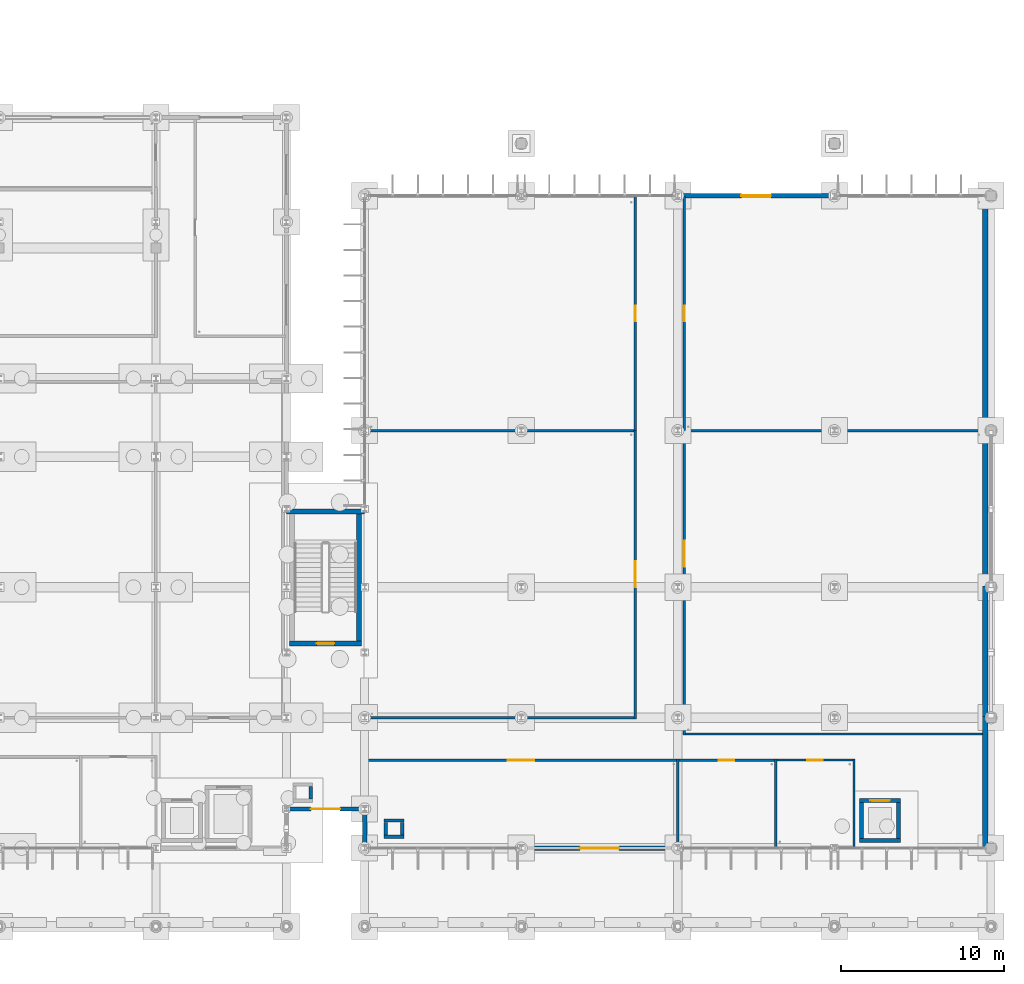
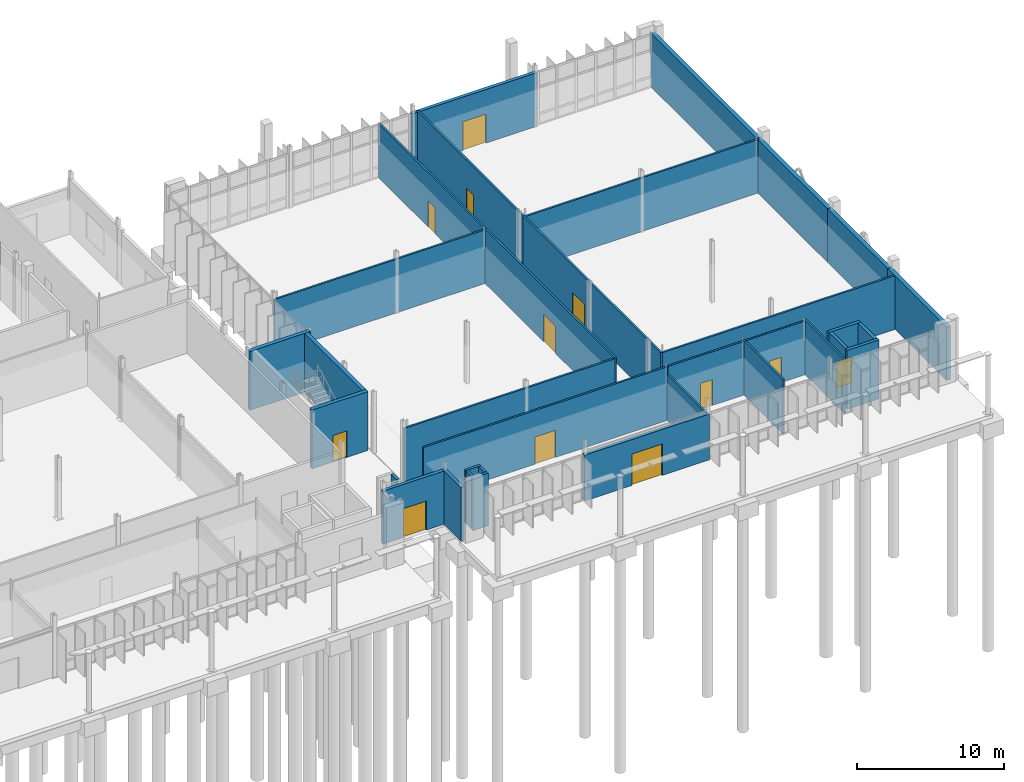
# One storey, part 65 of 111: 34 walls, 12 doors, 12 openings.
"""IFC4 building model written with IfcOpenShell, lengths in metres."""

from ifc_helpers import new_model, si_unit, direction, frame, frame_2d, origin, place, context, subcontext, project, spatial, rectangle, extrude, material, layer, layer_set, type_object, element, fill, save


model = new_model("IFC4")

# Units and contexts
model_context = context("Model", 3, precision=1e-05, world=origin(), true_north=direction((0.0, 1.0)))
body_context = subcontext(model_context, "Body", "Model", "MODEL_VIEW")
ifc_project = project(units=[si_unit("LENGTHUNIT", "METRE"), si_unit("AREAUNIT", "SQUARE_METRE"), si_unit("VOLUMEUNIT", "CUBIC_METRE"), si_unit("PLANEANGLEUNIT", "RADIAN"), si_unit("MASSUNIT", "GRAM", prefix="KILO")], contexts=[model_context])

# Site, building, storey
site_placement = place(None, origin())
site = spatial("IfcSite", under=ifc_project, at=site_placement, CompositionType="ELEMENT")
building_placement = place(site_placement, origin())
building = spatial("IfcBuilding", under=site, at=building_placement, Name="Dunescarp Central Library", CompositionType="ELEMENT")
storey_placement = place(building_placement, origin())
storey = spatial("IfcBuildingStorey", under=building, at=storey_placement, Name="L00", CompositionType="ELEMENT", Elevation=0.0)

# Wall, opening, door
ifc_material_1 = material(Name="Gypsum plasterboard acoustic partition")
ifc_layer_1 = layer(ifc_material_1, 0.14990234375)
ifc_layer_set_1 = layer_set([ifc_layer_1], Name="Gypsum plasterboard acoustic partition")
wall_type_1 = type_object("IfcWallType", Name="ARC-PT-AC150", PredefinedType="PARTITIONING", material=ifc_layer_set_1)
wall_1_placement = place(storey_placement, frame((129.639892578125, 10.199951171875, 0.0), z_axis=(0.0, 0.0, 1.0), x_axis=(1.0, 0.0, 0.0)))
wall_1 = element("IfcWall", 1, at=wall_1_placement, inside=storey, type_object=wall_type_1, Name="L00 partition PT-L00-0381", PredefinedType="PARTITIONING", context=body_context, shape_type="SweptSolid", body=[
    extrude(rectangle(XDim=19.085205078125, YDim=0.14990234375, at=frame_2d((9.54248046875, 0.0))), origin(), (0.0, 0.0, 1.0), 4.44189453125),
])
opening_1_placement = place(wall_1_placement, frame((8.742919921875, 0.0, 0.0)))
opening_1 = element("IfcOpeningElement", 2, at=opening_1_placement, cuts=wall_1, Name="Opening DR-L00-0163", PredefinedType="OPENING", context=body_context, shape_type="SweptSolid", body=[
    extrude(rectangle(XDim=1.60009765625, YDim=2.25, at=frame_2d((0.800048828125, 1.125))), frame((0.0, 0.0849609375, 0.0), z_axis=(0.0, -1.0, 0.0), x_axis=(1.0, 0.0, 0.0)), (0.0, 0.0, 1.0), 0.169921875),
])
ifc_material_2 = material(Name="Marine-grade anodised aluminium 6063-T6", Category="aluminium")
door_type_1 = type_object("IfcDoorType", Name="ARC-DR-DBL1600", OperationType="DOUBLE_DOOR_SINGLE_SWING", PredefinedType="DOOR", material=ifc_material_2)
door_1_placement = place(opening_1_placement, origin())
door_1 = element("IfcDoor", 3, at=door_1_placement, inside=storey, type_object=door_type_1, Name="L00 interior door DR-L00-0163", OperationType="DOUBLE_DOOR_SINGLE_SWING", OverallHeight=2.25, OverallWidth=1.60009765625, PredefinedType="DOOR", context=body_context, shape_type="SweptSolid", body=[
    extrude(rectangle(XDim=1.60009765625, YDim=2.25, at=frame_2d((0.800048828125, 1.125))), frame((0.0, 0.02490234375, 0.0), z_axis=(0.0, -1.0, 0.0), x_axis=(1.0, 0.0, 0.0)), (0.0, 0.0, 1.0), 0.050048828125),
])
fill(opening_1, door_1)

# Wall
wall_2_placement = place(storey_placement, frame((148.800048828125, 4.840087890625, 0.0), z_axis=(0.0, 0.0, 1.0), x_axis=(0.0, 1.0, 0.0)))
element("IfcWall", 4, at=wall_2_placement, inside=storey, type_object=wall_type_1, Name="L00 partition PT-L00-0382", PredefinedType="PARTITIONING", context=body_context, shape_type="SweptSolid", body=[
    extrude(rectangle(XDim=5.434814453125, YDim=0.14990234375, at=frame_2d((2.71728515625, 0.0))), origin(), (0.0, 0.0, 1.0), 3.804931640625),
])

# Wall, opening, door
wall_3_placement = place(storey_placement, frame((148.800048828125, 10.199951171875, 0.0), z_axis=(0.0, 0.0, 1.0), x_axis=(1.0, 0.0, 0.0)))
wall_3 = element("IfcWall", 5, at=wall_3_placement, inside=storey, type_object=wall_type_1, Name="L00 partition PT-L00-0383", PredefinedType="PARTITIONING", context=body_context, shape_type="SweptSolid", body=[
    extrude(rectangle(XDim=6.0, YDim=0.14990234375, at=frame_2d((3.0, 0.0))), origin(), (0.0, 0.0, 1.0), 4.44189453125),
])
opening_2_placement = place(wall_3_placement, frame((2.52490234375, 0.0, 0.0)))
opening_2 = element("IfcOpeningElement", 6, at=opening_2_placement, cuts=wall_3, Name="Opening DR-L00-0164", PredefinedType="OPENING", context=body_context, shape_type="SweptSolid", body=[
    extrude(rectangle(XDim=0.949951171875, YDim=2.14990234375, at=frame_2d((0.47509765625, 1.074951171875))), frame((0.0, 0.0849609375, 0.0), z_axis=(0.0, -1.0, 0.0), x_axis=(1.0, 0.0, 0.0)), (0.0, 0.0, 1.0), 0.169921875),
])
ifc_material_3 = material(Name="Hardwood solid-core timber leaf", Category="wood")
door_type_2 = type_object("IfcDoorType", Name="ARC-DR-INT950", OperationType="NOTDEFINED", PredefinedType="DOOR", material=ifc_material_3)
door_2_placement = place(opening_2_placement, origin())
door_2 = element("IfcDoor", 7, at=door_2_placement, inside=storey, type_object=door_type_2, Name="L00 interior door DR-L00-0164", OperationType="SINGLE_SWING_LEFT", OverallHeight=2.14990234375, OverallWidth=0.949951171875, PredefinedType="DOOR", context=body_context, shape_type="SweptSolid", body=[
    extrude(rectangle(XDim=0.949951171875, YDim=2.14990234375, at=frame_2d((0.47509765625, 1.074951171875))), frame((0.0, 0.02490234375, 0.0), z_axis=(0.0, -1.0, 0.0), x_axis=(1.0, 0.0, 0.0)), (0.0, 0.0, 1.0), 0.050048828125),
])
fill(opening_2, door_2)

# Walls
for number, where, z_axis, x_axis, name in (
    (8, (129.639892578125, 12.800048828125, 0.0), (0.0, 0.0, 1.0), (1.0, 0.0, 0.0), "L00 partition PT-L00-0384"),
    (9, (129.639892578125, 30.39990234375, 0.0), (0.0, 0.0, 1.0), (1.0, 0.0, 0.0), "L00 partition PT-L00-0385"),
):
    element("IfcWall", number, at=place(storey_placement, frame(where, z_axis=z_axis, x_axis=x_axis)), inside=storey, type_object=wall_type_1, Name=name, PredefinedType="PARTITIONING", context=body_context, shape_type="SweptSolid", body=[
        extrude(rectangle(XDim=16.485107421875, YDim=0.14990234375, at=frame_2d((8.24267578125, 0.0))), origin(), (0.0, 0.0, 1.0), 4.44189453125),
    ])

# Wall, opening, door
wall_4_placement = place(storey_placement, frame((146.199951171875, 12.72509765625, 0.0), z_axis=(0.0, 0.0, 1.0), x_axis=(0.0, 1.0, 0.0)))
wall_4 = element("IfcWall", 10, at=wall_4_placement, inside=storey, type_object=wall_type_1, Name="L00 partition PT-L00-0386", PredefinedType="PARTITIONING", context=body_context, shape_type="SweptSolid", body=[
    extrude(rectangle(XDim=17.75, YDim=0.14990234375, at=frame_2d((8.875, 0.0))), origin(), (0.0, 0.0, 1.0), 4.5048828125),
])
opening_3_placement = place(wall_4_placement, frame((8.074951171875, 0.0, 0.0)))
opening_3 = element("IfcOpeningElement", 11, at=opening_3_placement, cuts=wall_4, Name="Opening DR-L00-0165", PredefinedType="OPENING", context=body_context, shape_type="SweptSolid", body=[
    extrude(rectangle(XDim=1.60009765625, YDim=2.25, at=frame_2d((0.800048828125, 1.125))), frame((0.0, 0.0849609375, 0.0), z_axis=(0.0, -1.0, 0.0), x_axis=(1.0, 0.0, 0.0)), (0.0, 0.0, 1.0), 0.169921875),
])
door_3_placement = place(opening_3_placement, origin())
door_3 = element("IfcDoor", 12, at=door_3_placement, inside=storey, type_object=door_type_1, Name="L00 interior door DR-L00-0165", OperationType="DOUBLE_DOOR_SINGLE_SWING", OverallHeight=2.25, OverallWidth=1.60009765625, PredefinedType="DOOR", context=body_context, shape_type="SweptSolid", body=[
    extrude(rectangle(XDim=1.60009765625, YDim=2.25, at=frame_2d((0.800048828125, 1.125))), frame((0.0, 0.02490234375, 0.0), z_axis=(0.0, -1.0, 0.0), x_axis=(1.0, 0.0, 0.0)), (0.0, 0.0, 1.0), 0.050048828125),
])
fill(opening_3, door_3)

wall_5_placement = place(storey_placement, frame((146.199951171875, 30.39990234375, 0.0), z_axis=(0.0, 0.0, 1.0), x_axis=(0.0, 1.0, 0.0)))
wall_5 = element("IfcWall", 13, at=wall_5_placement, inside=storey, type_object=wall_type_1, Name="L00 partition PT-L00-0387", PredefinedType="PARTITIONING", context=body_context, shape_type="SweptSolid", body=[
    extrude(rectangle(XDim=14.360107421875, YDim=0.14990234375, at=frame_2d((7.18017578125, 0.0))), origin(), (0.0, 0.0, 1.0), 4.5048828125),
])
opening_4_placement = place(wall_5_placement, frame((6.705078125, 0.0, 0.0)))
opening_4 = element("IfcOpeningElement", 14, at=opening_4_placement, cuts=wall_5, Name="Opening DR-L00-0166", PredefinedType="OPENING", context=body_context, shape_type="SweptSolid", body=[
    extrude(rectangle(XDim=0.949951171875, YDim=2.14990234375, at=frame_2d((0.47509765625, 1.074951171875))), frame((0.0, 0.0849609375, 0.0), z_axis=(0.0, -1.0, 0.0), x_axis=(1.0, 0.0, 0.0)), (0.0, 0.0, 1.0), 0.169921875),
])
door_4_placement = place(opening_4_placement, origin())
door_4 = element("IfcDoor", 15, at=door_4_placement, inside=storey, type_object=door_type_2, Name="L00 interior door DR-L00-0166", OperationType="SINGLE_SWING_RIGHT", OverallHeight=2.14990234375, OverallWidth=0.949951171875, PredefinedType="DOOR", context=body_context, shape_type="SweptSolid", body=[
    extrude(rectangle(XDim=0.949951171875, YDim=2.14990234375, at=frame_2d((0.47509765625, 1.074951171875))), frame((0.0, 0.02490234375, 0.0), z_axis=(0.0, -1.0, 0.0), x_axis=(1.0, 0.0, 0.0)), (0.0, 0.0, 1.0), 0.050048828125),
])
fill(opening_4, door_4)

# Walls
for number, where, z_axis, x_axis, name in (
    (16, (149.27490234375, 11.800048828125, 0.0), (0.0, 0.0, 1.0), (1.0, 0.0, 0.0), "L00 partition PT-L00-0388"),
    (17, (149.27490234375, 30.39990234375, 0.0), (0.0, 0.0, 1.0), (1.0, 0.0, 0.0), "L00 partition PT-L00-0389"),
):
    element("IfcWall", number, at=place(storey_placement, frame(where, z_axis=z_axis, x_axis=x_axis)), inside=storey, type_object=wall_type_1, Name=name, PredefinedType="PARTITIONING", context=body_context, shape_type="SweptSolid", body=[
        extrude(rectangle(XDim=18.335205078125, YDim=0.14990234375, at=frame_2d((9.16748046875, 0.0))), origin(), (0.0, 0.0, 1.0), 4.44189453125),
    ])

# Wall, opening, door
wall_6_placement = place(storey_placement, frame((149.199951171875, 11.72509765625, 0.0), z_axis=(0.0, 0.0, 1.0), x_axis=(0.0, 1.0, 0.0)))
wall_6 = element("IfcWall", 18, at=wall_6_placement, inside=storey, type_object=wall_type_1, Name="L00 partition PT-L00-0390", PredefinedType="PARTITIONING", context=body_context, shape_type="SweptSolid", body=[
    extrude(rectangle(XDim=18.75, YDim=0.14990234375, at=frame_2d((9.375, 0.0))), origin(), (0.0, 0.0, 1.0), 4.5048828125),
])
opening_5_placement = place(wall_6_placement, frame((10.324951171875, 0.0, 0.0)))
opening_5 = element("IfcOpeningElement", 19, at=opening_5_placement, cuts=wall_6, Name="Opening DR-L00-0167", PredefinedType="OPENING", context=body_context, shape_type="SweptSolid", body=[
    extrude(rectangle(XDim=1.60009765625, YDim=2.25, at=frame_2d((0.800048828125, 1.125))), frame((0.0, 0.0849609375, 0.0), z_axis=(0.0, -1.0, 0.0), x_axis=(1.0, 0.0, 0.0)), (0.0, 0.0, 1.0), 0.169921875),
])
door_5_placement = place(opening_5_placement, origin())
door_5 = element("IfcDoor", 20, at=door_5_placement, inside=storey, type_object=door_type_1, Name="L00 interior door DR-L00-0167", OperationType="DOUBLE_DOOR_SINGLE_SWING", OverallHeight=2.25, OverallWidth=1.60009765625, PredefinedType="DOOR", context=body_context, shape_type="SweptSolid", body=[
    extrude(rectangle(XDim=1.60009765625, YDim=2.25, at=frame_2d((0.800048828125, 1.125))), frame((0.0, 0.02490234375, 0.0), z_axis=(0.0, -1.0, 0.0), x_axis=(1.0, 0.0, 0.0)), (0.0, 0.0, 1.0), 0.050048828125),
])
fill(opening_5, door_5)

wall_7_placement = place(storey_placement, frame((149.199951171875, 30.39990234375, 0.0), z_axis=(0.0, 0.0, 1.0), x_axis=(0.0, 1.0, 0.0)))
wall_7 = element("IfcWall", 21, at=wall_7_placement, inside=storey, type_object=wall_type_1, Name="L00 partition PT-L00-0391", PredefinedType="PARTITIONING", context=body_context, shape_type="SweptSolid", body=[
    extrude(rectangle(XDim=14.360107421875, YDim=0.14990234375, at=frame_2d((7.18017578125, 0.0))), origin(), (0.0, 0.0, 1.0), 4.5048828125),
])
opening_6_placement = place(wall_7_placement, frame((6.705078125, 0.0, 0.0)))
opening_6 = element("IfcOpeningElement", 22, at=opening_6_placement, cuts=wall_7, Name="Opening DR-L00-0168", PredefinedType="OPENING", context=body_context, shape_type="SweptSolid", body=[
    extrude(rectangle(XDim=0.949951171875, YDim=2.14990234375, at=frame_2d((0.47509765625, 1.074951171875))), frame((0.0, 0.0849609375, 0.0), z_axis=(0.0, -1.0, 0.0), x_axis=(1.0, 0.0, 0.0)), (0.0, 0.0, 1.0), 0.169921875),
])
door_6_placement = place(opening_6_placement, origin())
door_6 = element("IfcDoor", 23, at=door_6_placement, inside=storey, type_object=door_type_2, Name="L00 interior door DR-L00-0168", OperationType="SINGLE_SWING_LEFT", OverallHeight=2.14990234375, OverallWidth=0.949951171875, PredefinedType="DOOR", context=body_context, shape_type="SweptSolid", body=[
    extrude(rectangle(XDim=0.949951171875, YDim=2.14990234375, at=frame_2d((0.47509765625, 1.074951171875))), frame((0.0, 0.02490234375, 0.0), z_axis=(0.0, -1.0, 0.0), x_axis=(1.0, 0.0, 0.0)), (0.0, 0.0, 1.0), 0.050048828125),
])
fill(opening_6, door_6)

ifc_material_4 = material(Name="Autoclaved aerated concrete block", Category="concrete")
ifc_layer_2 = layer(ifc_material_4, 0.139892578125)
ifc_layer_set_2 = layer_set([ifc_layer_2], Name="Autoclaved aerated concrete block")
wall_type_2 = type_object("IfcWallType", Name="ARC-PT-WET140", PredefinedType="PARTITIONING", material=ifc_layer_set_2)
wall_8_placement = place(storey_placement, frame((154.8701171875, 10.199951171875, 0.0), z_axis=(0.0, 0.0, 1.0), x_axis=(1.0, 0.0, 0.0)))
wall_8 = element("IfcWall", 24, at=wall_8_placement, inside=storey, type_object=wall_type_2, Name="L00 partition PT-L00-0378", PredefinedType="PARTITIONING", context=body_context, shape_type="SweptSolid", body=[
    extrude(rectangle(XDim=4.659912109375, YDim=0.139892578125, at=frame_2d((2.330078125, 0.0))), origin(), (0.0, 0.0, 1.0), 4.44189453125),
])
opening_7_placement = place(wall_8_placement, frame((1.85498046875, 0.0, 0.0)))
opening_7 = element("IfcOpeningElement", 25, at=opening_7_placement, cuts=wall_8, Name="Opening DR-L00-0162", PredefinedType="OPENING", context=body_context, shape_type="SweptSolid", body=[
    extrude(rectangle(XDim=0.949951171875, YDim=2.10009765625, at=frame_2d((0.47509765625, 1.050048828125))), frame((0.0, 0.080078125, 0.0), z_axis=(0.0, -1.0, 0.0), x_axis=(1.0, 0.0, 0.0)), (0.0, 0.0, 1.0), 0.159912109375),
])
door_type_3 = type_object("IfcDoorType", Name="ARC-DR-WC950", OperationType="NOTDEFINED", PredefinedType="DOOR", material=ifc_material_3)
door_7_placement = place(opening_7_placement, origin())
door_7 = element("IfcDoor", 26, at=door_7_placement, inside=storey, type_object=door_type_3, Name="L00 interior door DR-L00-0162", OperationType="SINGLE_SWING_RIGHT", OverallHeight=2.10009765625, OverallWidth=0.949951171875, PredefinedType="DOOR", context=body_context, shape_type="SweptSolid", body=[
    extrude(rectangle(XDim=0.949951171875, YDim=2.10009765625, at=frame_2d((0.47509765625, 1.050048828125))), frame((0.0, 0.02490234375, 0.0), z_axis=(0.0, -1.0, 0.0), x_axis=(1.0, 0.0, 0.0)), (0.0, 0.0, 1.0), 0.050048828125),
])
fill(opening_7, door_7)

# Walls
for number, where, z_axis, x_axis, name in (
    (27, (154.800048828125, 4.840087890625, 0.0), (0.0, 0.0, 1.0), (0.0, 1.0, 0.0), "L00 partition PT-L00-0379"),
    (28, (159.60009765625, 4.840087890625, 0.0), (0.0, 0.0, 1.0), (0.0, 1.0, 0.0), "L00 partition PT-L00-0380"),
):
    element("IfcWall", number, at=place(storey_placement, frame(where, z_axis=z_axis, x_axis=x_axis)), inside=storey, type_object=wall_type_2, Name=name, PredefinedType="PARTITIONING", context=body_context, shape_type="SweptSolid", body=[
        extrude(rectangle(XDim=5.429931640625, YDim=0.139892578125, at=frame_2d((2.71484375, 0.0))), origin(), (0.0, 0.0, 1.0), 4.5048828125),
    ])

# Wall, opening, door
ifc_material_5 = material(Name="Glass-fibre reinforced concrete GRC", Category="concrete")
ifc_layer_3 = layer(ifc_material_5, 0.260009765625)
ifc_layer_set_3 = layer_set([ifc_layer_3], Name="Glass-fibre reinforced concrete GRC")
wall_type_3 = type_object("IfcWallType", Name="ARC-WL-GRC260", PredefinedType="SOLIDWALL", material=ifc_layer_set_3)
wall_9_placement = place(storey_placement, frame((148.715087890625, 44.800048828125, 0.0), z_axis=(0.0, 0.0, 1.0), x_axis=(1.0, 0.0, 0.0)))
wall_9 = element("IfcWall", 29, at=wall_9_placement, inside=storey, type_object=wall_type_3, Name="L00 external wall EW-V5-158", PredefinedType="SOLIDWALL", context=body_context, shape_type="SweptSolid", body=[
    extrude(rectangle(XDim=9.77001953125, YDim=0.260009765625, at=frame_2d((4.885009765625, 0.0))), origin(), (0.0, 0.0, 1.0), 4.44189453125),
])
opening_8_placement = place(wall_9_placement, frame((3.985107421875, 0.0, 0.0)))
opening_8 = element("IfcOpeningElement", 30, at=opening_8_placement, cuts=wall_9, Name="Opening ED-07", PredefinedType="OPENING", context=body_context, shape_type="SweptSolid", body=[
    extrude(rectangle(XDim=1.800048828125, YDim=2.39990234375, at=frame_2d((0.89990234375, 1.199951171875))), frame((0.0, 0.14013671875, 0.0), z_axis=(0.0, -1.0, 0.0), x_axis=(1.0, 0.0, 0.0)), (0.0, 0.0, 1.0), 0.280029296875),
])
door_type_4 = type_object("IfcDoorType", Name="ARC-DR-EXIT1800", OperationType="NOTDEFINED", PredefinedType="DOOR", material=ifc_material_2)
door_8_placement = place(opening_8_placement, origin())
door_8 = element("IfcDoor", 31, at=door_8_placement, inside=storey, type_object=door_type_4, Name="L00 external door ED-07", OperationType="SINGLE_SWING_RIGHT", OverallHeight=2.39990234375, OverallWidth=1.800048828125, PredefinedType="DOOR", context=body_context, shape_type="SweptSolid", body=[
    extrude(rectangle(XDim=1.800048828125, YDim=2.39990234375, at=frame_2d((0.89990234375, 1.199951171875))), frame((0.0, 0.02490234375, 0.0), z_axis=(0.0, -1.0, 0.0), x_axis=(1.0, 0.0, 0.0)), (0.0, 0.0, 1.0), 0.050048828125),
])
fill(opening_8, door_8)

# Wall
wall_10_placement = place(storey_placement, frame((129.60009765625, 4.715087890625, 0.0), z_axis=(0.0, 0.0, 1.0), x_axis=(0.0, 1.0, 0.0)))
element("IfcWall", 32, at=wall_10_placement, inside=storey, type_object=wall_type_3, Name="L00 external wall EW-V5-163", PredefinedType="SOLIDWALL", context=body_context, shape_type="SweptSolid", body=[
    extrude(rectangle(XDim=2.56982421875, YDim=0.260009765625, at=frame_2d((1.284912109375, 0.0))), origin(), (0.0, 0.0, 1.0), 4.44189453125),
])

# Wall, opening, door
wall_11_placement = place(storey_placement, frame((129.68505859375, 7.199951171875, 0.0), z_axis=(0.0, 0.0, 1.0), x_axis=(-1.0, 0.0, 0.0)))
wall_11 = element("IfcWall", 33, at=wall_11_placement, inside=storey, type_object=wall_type_3, Name="L00 external wall EW-GL3-S", PredefinedType="SOLIDWALL", context=body_context, shape_type="SweptSolid", body=[
    extrude(rectangle(XDim=4.969970703125, YDim=0.260009765625, at=frame_2d((2.48486328125, 0.0))), origin(), (0.0, 0.0, 1.0), 4.405029296875),
])
opening_9_placement = place(wall_11_placement, frame((1.5849609375, 0.0, 0.0)))
opening_9 = element("IfcOpeningElement", 34, at=opening_9_placement, cuts=wall_11, Name="Opening ED-05", PredefinedType="OPENING", context=body_context, shape_type="SweptSolid", body=[
    extrude(rectangle(XDim=1.800048828125, YDim=2.39990234375, at=frame_2d((0.89990234375, 1.199951171875))), frame((0.0, 0.14013671875, 0.0), z_axis=(0.0, -1.0, 0.0), x_axis=(1.0, 0.0, 0.0)), (0.0, 0.0, 1.0), 0.280029296875),
])
door_9_placement = place(opening_9_placement, origin())
door_9 = element("IfcDoor", 35, at=door_9_placement, inside=storey, type_object=door_type_4, Name="L00 external door ED-05", OperationType="SINGLE_SWING_LEFT", OverallHeight=2.39990234375, OverallWidth=1.800048828125, PredefinedType="DOOR", context=body_context, shape_type="SweptSolid", body=[
    extrude(rectangle(XDim=1.800048828125, YDim=2.39990234375, at=frame_2d((0.89990234375, 1.199951171875))), frame((0.0, 0.02490234375, 0.0), z_axis=(0.0, -1.0, 0.0), x_axis=(1.0, 0.0, 0.0)), (0.0, 0.0, 1.0), 0.050048828125),
])
fill(opening_9, door_9)

ifc_layer_4 = layer(ifc_material_5, 0.280029296875)
ifc_layer_set_4 = layer_set([ifc_layer_4], Name="Glass-fibre reinforced concrete GRC")
wall_type_4 = type_object("IfcWallType", Name="ARC-WL-GRC280", PredefinedType="SOLIDWALL", material=ifc_layer_set_4)
wall_12_placement = place(storey_placement, frame((148.885009765625, 4.800048828125, 0.0), z_axis=(0.0, 0.0, 1.0), x_axis=(-1.0, 0.0, 0.0)))
wall_12 = element("IfcWall", 36, at=wall_12_placement, inside=storey, type_object=wall_type_4, Name="L00 external wall EW-V5-157", PredefinedType="SOLIDWALL", context=body_context, shape_type="SweptSolid", body=[
    extrude(rectangle(XDim=9.77001953125, YDim=0.280029296875, at=frame_2d((4.885009765625, 0.0))), origin(), (0.0, 0.0, 1.0), 3.804931640625),
])
opening_10_placement = place(wall_12_placement, frame((3.68505859375, 0.0, 0.0)))
opening_10 = element("IfcOpeningElement", 37, at=opening_10_placement, cuts=wall_12, Name="Opening D-ENT-04", PredefinedType="OPENING", context=body_context, shape_type="SweptSolid", body=[
    extrude(rectangle(XDim=2.39990234375, YDim=2.60009765625, at=frame_2d((1.199951171875, 1.300048828125))), frame((0.0, 0.14990234375, 0.0), z_axis=(0.0, -1.0, 0.0), x_axis=(1.0, 0.0, 0.0)), (0.0, 0.0, 1.0), 0.300048828125),
])
door_type_5 = type_object("IfcDoorType", Name="ARC-DR-ENT2400", OperationType="DOUBLE_SWING_LEFT", PredefinedType="DOOR", material=ifc_material_2)
door_10_placement = place(opening_10_placement, origin())
door_10 = element("IfcDoor", 38, at=door_10_placement, inside=storey, type_object=door_type_5, Name="L00 external door D-ENT-04", OperationType="DOUBLE_SWING_RIGHT", OverallHeight=2.60009765625, OverallWidth=2.39990234375, PredefinedType="DOOR", context=body_context, shape_type="SweptSolid", body=[
    extrude(rectangle(XDim=2.39990234375, YDim=2.60009765625, at=frame_2d((1.199951171875, 1.300048828125))), frame((0.0, 0.02490234375, 0.0), z_axis=(0.0, -1.0, 0.0), x_axis=(1.0, 0.0, 0.0)), (0.0, 0.0, 1.0), 0.050048828125),
])
fill(opening_10, door_10)

# Walls
ifc_layer_5 = layer(ifc_material_5, 0.320068359375)
ifc_layer_set_5 = layer_set([ifc_layer_5], Name="Glass-fibre reinforced concrete GRC")
wall_type_5 = type_object("IfcWallType", Name="ARC-WL-GRC320", PredefinedType="SOLIDWALL", material=ifc_layer_set_5)
for number, where, z_axis, x_axis, name in (
    (39, (167.64990234375, 12.885009765625, 0.0), (0.0, 0.0, 1.0), (0.0, -1.0, 0.0), "L00 external wall EW-V5-159"),
    (40, (167.64990234375, 20.885009765625, 0.0), (0.0, 0.0, 1.0), (0.0, -1.0, 0.0), "L00 external wall EW-V5-160"),
):
    element("IfcWall", number, at=place(storey_placement, frame(where, z_axis=z_axis, x_axis=x_axis)), inside=storey, type_object=wall_type_5, Name=name, PredefinedType="SOLIDWALL", context=body_context, shape_type="SweptSolid", body=[
        extrude(rectangle(XDim=8.169921875, YDim=0.320068359375, at=frame_2d((4.0849609375, 0.0))), origin(), (0.0, 0.0, 1.0), 4.44189453125),
    ])
wall_13_placement = place(storey_placement, frame((167.64990234375, 30.485107421875, 0.0), z_axis=(0.0, 0.0, 1.0), x_axis=(0.0, -1.0, 0.0)))
element("IfcWall", 41, at=wall_13_placement, inside=storey, type_object=wall_type_5, Name="L00 external wall EW-V5-161", PredefinedType="SOLIDWALL", context=body_context, shape_type="SweptSolid", body=[
    extrude(rectangle(XDim=9.77001953125, YDim=0.320068359375, at=frame_2d((4.885009765625, 0.0))), origin(), (0.0, 0.0, 1.0), 4.44189453125),
])
wall_14_placement = place(storey_placement, frame((167.64990234375, 44.885009765625, 0.0), z_axis=(0.0, 0.0, 1.0), x_axis=(0.0, -1.0, 0.0)))
element("IfcWall", 42, at=wall_14_placement, inside=storey, type_object=wall_type_5, Name="L00 external wall EW-V5-162", PredefinedType="SOLIDWALL", context=body_context, shape_type="SweptSolid", body=[
    extrude(rectangle(XDim=14.570068359375, YDim=0.320068359375, at=frame_2d((7.28515625, 0.0))), origin(), (0.0, 0.0, 1.0), 4.44189453125),
])
ifc_material_6 = material(Name="Concrete C35/45", Category="concrete")
ifc_layer_6 = layer(ifc_material_6, 0.199951171875)
ifc_layer_set_6 = layer_set([ifc_layer_6], Name="Concrete C35/45")
wall_type_6 = type_object("IfcWallType", Name="ARC-WL-RISER200", PredefinedType="PARTITIONING", material=ifc_layer_set_6)
for number, where, z_axis, x_axis, name in (
    (43, (132.0, 5.5, 0.0), (0.0, 0.0, 1.0), (-1.0, 0.0, 0.0), "L00 V5 duct shaft wall S"),
    (44, (130.800048828125, 6.5, 0.0), (0.0, 0.0, 1.0), (1.0, 0.0, 0.0), "L00 V5 duct shaft wall N"),
):
    element("IfcWall", number, at=place(storey_placement, frame(where, z_axis=z_axis, x_axis=x_axis)), inside=storey, type_object=wall_type_6, Name=name, PredefinedType="PARTITIONING", context=body_context, shape_type="SweptSolid", body=[
        extrude(rectangle(XDim=1.199951171875, YDim=0.199951171875, at=frame_2d((0.60009765625, 0.0))), origin(), (0.0, 0.0, 1.0), 4.3798828125),
    ])
for number, where, z_axis, x_axis, name in (
    (45, (130.89990234375, 5.6201171875, 0.0), (0.0, 0.0, 1.0), (0.0, 1.0, 0.0), "L00 V5 duct shaft wall W"),
    (46, (131.89990234375, 6.3798828125, 0.0), (0.0, 0.0, 1.0), (0.0, -1.0, 0.0), "L00 V5 duct shaft wall E"),
):
    element("IfcWall", number, at=place(storey_placement, frame(where, z_axis=z_axis, x_axis=x_axis)), inside=storey, type_object=wall_type_6, Name=name, PredefinedType="PARTITIONING", context=body_context, shape_type="SweptSolid", body=[
        extrude(rectangle(XDim=0.759765625, YDim=0.199951171875, at=frame_2d((0.3798828125, 0.0))), origin(), (0.0, 0.0, 1.0), 4.3798828125),
    ])
wall_15_placement = place(storey_placement, frame((126.300048828125, 8.580078125, 0.0), z_axis=(0.0, 0.0, 1.0), x_axis=(0.0, -1.0, 0.0)))
element("IfcWall", 47, at=wall_15_placement, inside=storey, type_object=wall_type_6, Name="L00 GL3 duct shaft wall E", PredefinedType="PARTITIONING", context=body_context, shape_type="SweptSolid", body=[
    extrude(rectangle(XDim=0.760009765625, YDim=0.199951171875, at=frame_2d((0.3798828125, 0.0))), origin(), (0.0, 0.0, 1.0), 4.3798828125),
])
ifc_material_7 = material(Name="Concrete C40/50", Category="concrete")
ifc_layer_7 = layer(ifc_material_7, 0.25)
ifc_layer_set_7 = layer_set([ifc_layer_7], Name="Concrete C40/50")
wall_type_7 = type_object("IfcWallType", Name="STR-WL-CORE250", PredefinedType="SHEAR", material=ifc_layer_set_7)
wall_16_placement = place(storey_placement, frame((162.449951171875, 5.27490234375, 0.0), z_axis=(0.0, 0.0, 1.0), x_axis=(-1.0, 0.0, 0.0)))
element("IfcWall", 48, at=wall_16_placement, inside=storey, type_object=wall_type_7, Name="L00 PL-5 lift shaft wall S", PredefinedType="SHEAR", context=body_context, shape_type="SweptSolid", body=[
    extrude(rectangle(XDim=2.5, YDim=0.25, at=frame_2d((1.25, 0.0))), origin(), (0.0, 0.0, 1.0), 4.8798828125),
])

# Wall, opening, door
wall_17_placement = place(storey_placement, frame((159.949951171875, 7.72509765625, 0.0), z_axis=(0.0, 0.0, 1.0), x_axis=(1.0, 0.0, 0.0)))
wall_17 = element("IfcWall", 49, at=wall_17_placement, inside=storey, type_object=wall_type_7, Name="L00 PL-5 lift shaft wall N", PredefinedType="SHEAR", context=body_context, shape_type="SweptSolid", body=[
    extrude(rectangle(XDim=2.5, YDim=0.25, at=frame_2d((1.25, 0.0))), origin(), (0.0, 0.0, 1.0), 4.8798828125),
])
opening_11_placement = place(wall_17_placement, frame((0.64990234375, 0.0, 0.0)))
opening_11 = element("IfcOpeningElement", 50, at=opening_11_placement, cuts=wall_17, Name="Opening LD-PL-5-L00", PredefinedType="OPENING", context=body_context, shape_type="SweptSolid", body=[
    extrude(rectangle(XDim=1.199951171875, YDim=2.199951171875, at=frame_2d((0.60009765625, 1.10009765625))), frame((0.0, 0.135009765625, 0.0), z_axis=(0.0, -1.0, 0.0), x_axis=(1.0, 0.0, 0.0)), (0.0, 0.0, 1.0), 0.27001953125),
])
ifc_material_8 = material(Name="Stainless steel Grade 316L", Category="steel")
door_type_6 = type_object("IfcDoorType", Name="ARC-DR-LD1200", OperationType="DOUBLE_DOOR_SLIDING", PredefinedType="DOOR", material=ifc_material_8)
door_11_placement = place(opening_11_placement, origin())
door_11 = element("IfcDoor", 51, at=door_11_placement, inside=storey, type_object=door_type_6, Name="L00 PL-5 lift landing door", OperationType="DOUBLE_DOOR_SLIDING", OverallHeight=2.199951171875, OverallWidth=1.199951171875, PredefinedType="DOOR", context=body_context, shape_type="SweptSolid", body=[
    extrude(rectangle(XDim=1.199951171875, YDim=2.199951171875, at=frame_2d((0.60009765625, 1.10009765625))), frame((0.0, 0.02490234375, 0.0), z_axis=(0.0, -1.0, 0.0), x_axis=(1.0, 0.0, 0.0)), (0.0, 0.0, 1.0), 0.050048828125),
])
fill(opening_11, door_11)

# Walls
for number, where, z_axis, x_axis, name in (
    (52, (160.074951171875, 5.39990234375, 0.0), (0.0, 0.0, 1.0), (0.0, 1.0, 0.0), "L00 PL-5 lift shaft wall W"),
    (53, (162.324951171875, 7.60009765625, 0.0), (0.0, 0.0, 1.0), (0.0, -1.0, 0.0), "L00 PL-5 lift shaft wall E"),
):
    element("IfcWall", number, at=place(storey_placement, frame(where, z_axis=z_axis, x_axis=x_axis)), inside=storey, type_object=wall_type_7, Name=name, PredefinedType="SHEAR", context=body_context, shape_type="SweptSolid", body=[
        extrude(rectangle(XDim=2.2001953125, YDim=0.25, at=frame_2d((1.10009765625, 0.0))), origin(), (0.0, 0.0, 1.0), 4.8798828125),
    ])

# Wall, opening, door
ifc_layer_8 = layer(ifc_material_7, 0.300048828125)
ifc_layer_set_8 = layer_set([ifc_layer_8], Name="Concrete C40/50")
wall_type_8 = type_object("IfcWallType", Name="STR-WL-CORE300", PredefinedType="SHEAR", material=ifc_layer_set_8)
wall_18_placement = place(storey_placement, frame((129.39990234375, 17.35009765625, 0.0), z_axis=(0.0, 0.0, 1.0), x_axis=(-1.0, 0.0, 0.0)))
wall_18 = element("IfcWall", 54, at=wall_18_placement, inside=storey, type_object=wall_type_8, Name="L00 ST-5 south core wall", PredefinedType="SHEAR", context=body_context, shape_type="SweptSolid", body=[
    extrude(rectangle(XDim=4.39990234375, YDim=0.300048828125, at=frame_2d((2.199951171875, 0.0))), origin(), (0.0, 0.0, 1.0), 4.8798828125),
])
opening_12_placement = place(wall_18_placement, frame((1.64990234375, 0.0, 0.0)))
opening_12 = element("IfcOpeningElement", 55, at=opening_12_placement, cuts=wall_18, Name="Opening D-ST-5-L00", PredefinedType="OPENING", context=body_context, shape_type="SweptSolid", body=[
    extrude(rectangle(XDim=1.10009765625, YDim=2.199951171875, at=frame_2d((0.550048828125, 1.10009765625))), frame((0.0, 0.16015625, 0.0), z_axis=(0.0, -1.0, 0.0), x_axis=(1.0, 0.0, 0.0)), (0.0, 0.0, 1.0), 0.320068359375),
])
ifc_material_9 = material(Name="Galvanised steel FD120S", Category="steel")
door_type_7 = type_object("IfcDoorType", Name="ARC-DR-STAIR", OperationType="NOTDEFINED", PredefinedType="DOOR", material=ifc_material_9)
door_12_placement = place(opening_12_placement, origin())
door_12 = element("IfcDoor", 56, at=door_12_placement, inside=storey, type_object=door_type_7, Name="L00 ST-5 fire stair door", OperationType="SINGLE_SWING_RIGHT", OverallHeight=2.199951171875, OverallWidth=1.10009765625, PredefinedType="DOOR", context=body_context, shape_type="SweptSolid", body=[
    extrude(rectangle(XDim=1.10009765625, YDim=2.199951171875, at=frame_2d((0.550048828125, 1.10009765625))), frame((0.0, 0.02490234375, 0.0), z_axis=(0.0, -1.0, 0.0), x_axis=(1.0, 0.0, 0.0)), (0.0, 0.0, 1.0), 0.050048828125),
])
fill(opening_12, door_12)

# Walls
wall_19_placement = place(storey_placement, frame((124.820068359375, 25.449951171875, 0.0), z_axis=(0.0, 0.0, 1.0), x_axis=(1.0, 0.0, 0.0)))
element("IfcWall", 57, at=wall_19_placement, inside=storey, type_object=wall_type_8, Name="L00 ST-5 north core wall", PredefinedType="SHEAR", context=body_context, shape_type="SweptSolid", body=[
    extrude(rectangle(XDim=4.760009765625, YDim=0.300048828125, at=frame_2d((2.3798828125, 0.0))), origin(), (0.0, 0.0, 1.0), 4.8798828125),
])
wall_20_placement = place(storey_placement, frame((129.25, 25.300048828125, 0.0), z_axis=(0.0, 0.0, 1.0), x_axis=(0.0, -1.0, 0.0)))
element("IfcWall", 58, at=wall_20_placement, inside=storey, type_object=wall_type_8, Name="L00 ST-5 east core wall", PredefinedType="SHEAR", context=body_context, shape_type="SweptSolid", body=[
    extrude(rectangle(XDim=7.800048828125, YDim=0.300048828125, at=frame_2d((3.89990234375, 0.0))), origin(), (0.0, 0.0, 1.0), 4.8798828125),
])

save(model, "model.ifc")
